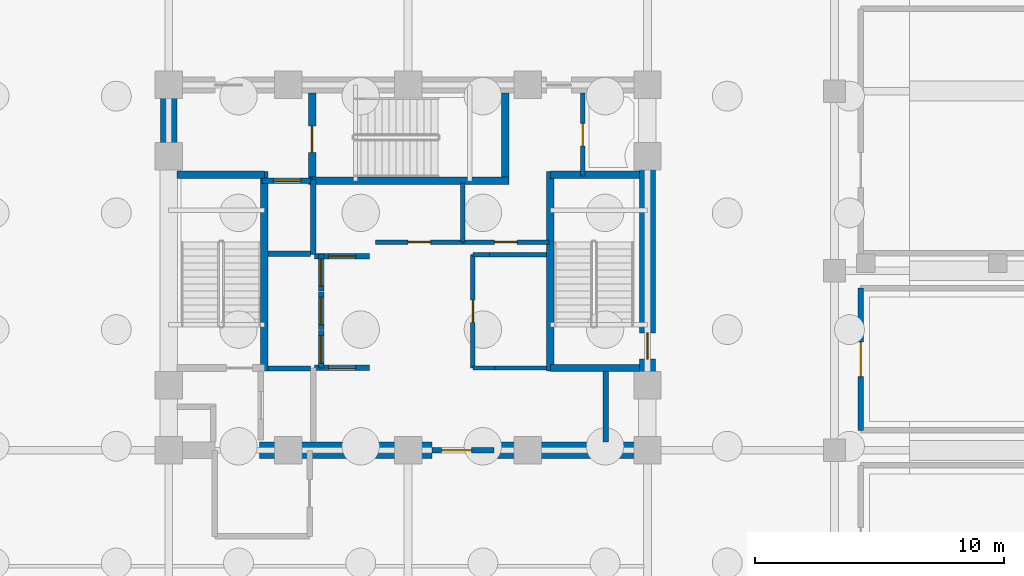
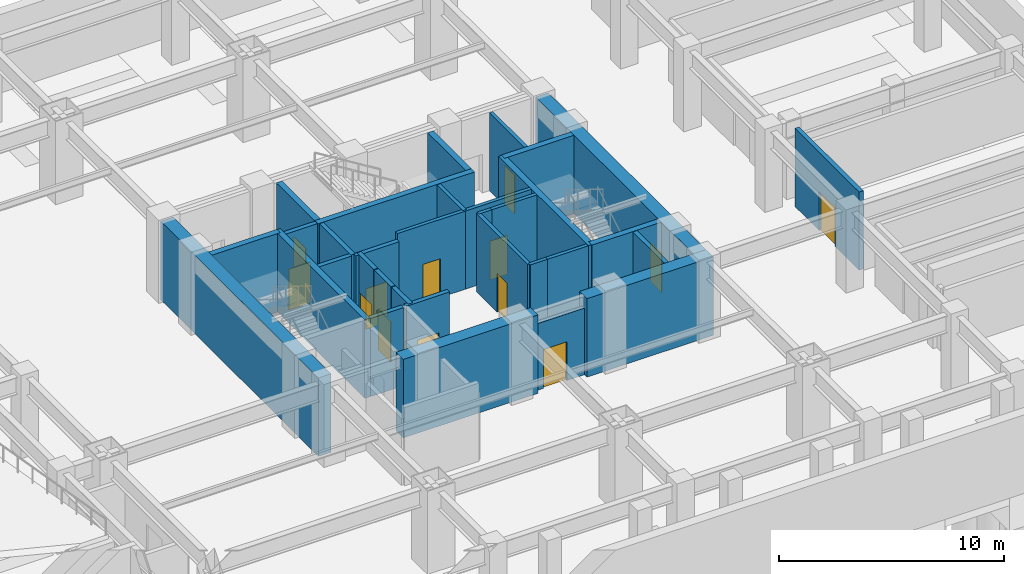
# One storey, part 5 of 12: 33 walls, 14 doors, 14 openings.
"""IFC4 building model written with IfcOpenShell, lengths in metres."""

from ifc_helpers import new_model, si_unit, direction, frame, frame_2d, origin, place, context, subcontext, project, spatial, rectangle, extrude, material, layer, layer_set, type_object, element, fill, save


model = new_model("IFC4")

# Units and contexts
model_context = context("Model", 3, precision=1e-05, world=origin(), true_north=direction((0.0, 1.0)))
body_context = subcontext(model_context, "Body", "Model", "MODEL_VIEW")
ifc_project = project(units=[si_unit("LENGTHUNIT", "METRE"), si_unit("AREAUNIT", "SQUARE_METRE"), si_unit("VOLUMEUNIT", "CUBIC_METRE"), si_unit("PLANEANGLEUNIT", "RADIAN"), si_unit("MASSUNIT", "GRAM", prefix="KILO")], contexts=[model_context])

# Site, building, storey
site_placement = place(None, origin())
site = spatial("IfcSite", under=ifc_project, at=site_placement, CompositionType="ELEMENT")
building_placement = place(site_placement, origin())
building = spatial("IfcBuilding", under=site, at=building_placement, Name="Vantalir Tower", CompositionType="ELEMENT")
storey_placement = place(building_placement, frame((0.0, 0.0, -9.0)))
storey = spatial("IfcBuildingStorey", under=building, at=storey_placement, Name="B02", CompositionType="ELEMENT", Elevation=-9.0)

# Walls
ifc_material_1 = material(Name="Concrete C60/75", Category="concrete")
ifc_layer_1 = layer(ifc_material_1, 0.64990234375)
ifc_layer_set_1 = layer_set([ifc_layer_1], Name="Concrete C60/75")
wall_type_1 = type_object("IfcWallType", Name="WL-CORE-650", PredefinedType="SHEAR", material=ifc_layer_set_1)
wall_1_placement = place(storey_placement, frame((25.550048828125, 17.800048828125, 0.0), z_axis=(0.0, 0.0, 1.0), x_axis=(1.0, 0.0, 0.0)))
element("IfcWall", 1, at=wall_1_placement, inside=storey, type_object=wall_type_1, Name="B02 Core Shear Wall South-Mid", PredefinedType="SHEAR", context=body_context, shape_type="SweptSolid", body=[
    extrude(rectangle(XDim=6.89990234375, YDim=0.64990234375, at=frame_2d((3.449951171875, 0.0))), origin(), (0.0, 0.0, 1.0), 4.25),
])
wall_2_placement = place(storey_placement, frame((34.949951171875, 17.800048828125, 0.0), z_axis=(0.0, 0.0, 1.0), x_axis=(1.0, 0.0, 0.0)))
element("IfcWall", 2, at=wall_2_placement, inside=storey, type_object=wall_type_1, Name="B02 Core Shear Wall South-East", PredefinedType="SHEAR", context=body_context, shape_type="SweptSolid", body=[
    extrude(rectangle(XDim=6.47509765625, YDim=0.64990234375, at=frame_2d((3.237548828125, 0.0))), origin(), (0.0, 0.0, 1.0), 4.25),
])
wall_3_placement = place(storey_placement, frame((21.89990234375, 18.125, 0.0), z_axis=(0.0, 0.0, 1.0), x_axis=(0.0, 1.0, 0.0)))
element("IfcWall", 3, at=wall_3_placement, inside=storey, type_object=wall_type_1, Name="B02 Core Shear Wall West", PredefinedType="SHEAR", context=body_context, shape_type="SweptSolid", body=[
    extrude(rectangle(XDim=14.0, YDim=0.64990234375, at=frame_2d((7.0, 0.0))), origin(), (0.0, 0.0, 1.0), 4.25),
])

# Wall, opening, door
wall_4_placement = place(storey_placement, frame((41.10009765625, 18.125, 0.0), z_axis=(0.0, 0.0, 1.0), x_axis=(0.0, 1.0, 0.0)))
wall_4 = element("IfcWall", 4, at=wall_4_placement, inside=storey, type_object=wall_type_1, Name="B02 Core Shear Wall East", PredefinedType="SHEAR", context=body_context, shape_type="SweptSolid", body=[
    extrude(rectangle(XDim=14.0, YDim=0.64990234375, at=frame_2d((7.0, 0.0))), origin(), (0.0, 0.0, 1.0), 4.25),
])
opening_1_placement = place(wall_4_placement, frame((3.3349609375, 0.0, 0.0)))
opening_1 = element("IfcOpeningElement", 5, at=opening_1_placement, cuts=wall_4, Name="Opening D-ST", PredefinedType="OPENING", context=body_context, shape_type="SweptSolid", body=[
    extrude(rectangle(XDim=1.050048828125, YDim=2.10009765625, at=frame_2d((0.52490234375, 1.050048828125))), frame((0.0, 0.3349609375, 0.0), z_axis=(0.0, -1.0, 0.0), x_axis=(1.0, 0.0, 0.0)), (0.0, 0.0, 1.0), 0.669921875),
])
ifc_material_2 = material(Name="Fire-rated steel door leaf", Category="steel")
door_type_1 = type_object("IfcDoorType", Name="DR-FIRE-STAIR-1050", OperationType="NOTDEFINED", PredefinedType="DOOR", material=ifc_material_2)
door_1_placement = place(opening_1_placement, origin())
door_1 = element("IfcDoor", 6, at=door_1_placement, inside=storey, type_object=door_type_1, Name="B02 Exit Stair ST2 Fire Door", OperationType="SINGLE_SWING_LEFT", OverallHeight=2.10009765625, OverallWidth=1.050048828125, PredefinedType="DOOR", context=body_context, shape_type="SweptSolid", body=[
    extrude(rectangle(XDim=1.050048828125, YDim=2.10009765625, at=frame_2d((0.52490234375, 1.050048828125))), frame((0.0, 0.02490234375, 0.0), z_axis=(0.0, -1.0, 0.0), x_axis=(1.0, 0.0, 0.0)), (0.0, 0.0, 1.0), 0.050048828125),
])
fill(opening_1, door_1)

ifc_material_3 = material(Name="Concrete blockwork with fireboard lining", Category="masonry")
ifc_layer_2 = layer(ifc_material_3, 0.219970703125)
ifc_layer_set_2 = layer_set([ifc_layer_2], Name="Concrete blockwork with fireboard lining")
wall_type_2 = type_object("IfcWallType", Name="WL-FFL-220", PredefinedType="PARTITIONING", material=ifc_layer_set_2)
wall_5_placement = place(storey_placement, frame((32.449951171875, 17.800048828125, 0.0), z_axis=(0.0, 0.0, 1.0), x_axis=(1.0, 0.0, 0.0)))
wall_5 = element("IfcWall", 7, at=wall_5_placement, inside=storey, type_object=wall_type_2, Name="B02 Passenger Lift Lobby South Wall", PredefinedType="PARTITIONING", context=body_context, shape_type="SweptSolid", body=[
    extrude(rectangle(XDim=2.5, YDim=0.219970703125, at=frame_2d((1.25, 0.0))), origin(), (0.0, 0.0, 1.0), 3.60791015625),
])
opening_2_placement = place(wall_5_placement, frame((0.39990234375, 0.0, 0.0)))
opening_2 = element("IfcOpeningElement", 8, at=opening_2_placement, cuts=wall_5, Name="Opening D-STE", PredefinedType="OPENING", context=body_context, shape_type="SweptSolid", body=[
    extrude(rectangle(XDim=1.199951171875, YDim=2.10009765625, at=frame_2d((0.60009765625, 1.050048828125))), frame((0.0, 0.119873046875, 0.0), z_axis=(0.0, -1.0, 0.0), x_axis=(1.0, 0.0, 0.0)), (0.0, 0.0, 1.0), 0.239990234375),
])
ifc_material_4 = material(Name="Solid-core teak veneer suite entrance door", Category="wood")
door_type_2 = type_object("IfcDoorType", Name="DR-SUITE-ENTRY-1200", OperationType="NOTDEFINED", PredefinedType="DOOR", material=ifc_material_4)
door_2_placement = place(opening_2_placement, origin())
door_2 = element("IfcDoor", 9, at=door_2_placement, inside=storey, type_object=door_type_2, Name="B02 Passenger Lift Lobby Concourse Door", OperationType="SINGLE_SWING_LEFT", OverallHeight=2.10009765625, OverallWidth=1.199951171875, PredefinedType="DOOR", context=body_context, shape_type="SweptSolid", body=[
    extrude(rectangle(XDim=1.199951171875, YDim=2.10009765625, at=frame_2d((0.60009765625, 1.050048828125))), frame((0.0, 0.02490234375, 0.0), z_axis=(0.0, -1.0, 0.0), x_axis=(1.0, 0.0, 0.0)), (0.0, 0.0, 1.0), 0.050048828125),
])
fill(opening_2, door_2)

# Wall
wall_6_placement = place(storey_placement, frame((39.419921875, 18.125, 0.0), z_axis=(0.0, 0.0, 1.0), x_axis=(0.0, 1.0, 0.0)))
element("IfcWall", 10, at=wall_6_placement, inside=storey, type_object=wall_type_2, Name="B02 East MEP Riser Wall W", PredefinedType="PARTITIONING", context=body_context, shape_type="SweptSolid", body=[
    extrude(rectangle(XDim=2.824951171875, YDim=0.219970703125, at=frame_2d((1.41259765625, 0.0))), origin(), (0.0, 0.0, 1.0), 4.22998046875),
])

# Wall, opening, door
wall_7_placement = place(storey_placement, frame((25.639892578125, 28.610107421875, 0.0), z_axis=(0.0, 0.0, 1.0), x_axis=(1.0, 0.0, 0.0)))
wall_7 = element("IfcWall", 11, at=wall_7_placement, inside=storey, type_object=wall_type_2, Name="B02 Lift FL2 Shaft Front Wall", PredefinedType="PARTITIONING", context=body_context, shape_type="SweptSolid", body=[
    extrude(rectangle(XDim=2.02001953125, YDim=0.219970703125, at=frame_2d((1.010009765625, 0.0))), origin(), (0.0, 0.0, 1.0), 4.22998046875),
])
opening_3_placement = place(wall_7_placement, frame((0.4599609375, 0.0, 0.0)))
opening_3 = element("IfcOpeningElement", 12, at=opening_3_placement, cuts=wall_7, Name="Opening LD-FL2", PredefinedType="OPENING", context=body_context, shape_type="SweptSolid", body=[
    extrude(rectangle(XDim=1.10009765625, YDim=2.199951171875, at=frame_2d((0.550048828125, 1.10009765625))), frame((0.0, 0.119873046875, 0.0), z_axis=(0.0, -1.0, 0.0), x_axis=(1.0, 0.0, 0.0)), (0.0, 0.0, 1.0), 0.239990234375),
])
ifc_material_5 = material(Name="Brushed stainless-steel sliding lift landing door", Category="steel")
door_type_3 = type_object("IfcDoorType", Name="DR-LIFT-LANDING-1100", OperationType="DOUBLE_DOOR_SLIDING", PredefinedType="DOOR", material=ifc_material_5)
door_3_placement = place(opening_3_placement, origin())
door_3 = element("IfcDoor", 13, at=door_3_placement, inside=storey, type_object=door_type_3, Name="B02 Lift Landing Door FL2", OperationType="DOUBLE_DOOR_SLIDING", OverallHeight=2.199951171875, OverallWidth=1.10009765625, PredefinedType="DOOR", context=body_context, shape_type="SweptSolid", body=[
    extrude(rectangle(XDim=1.10009765625, YDim=2.199951171875, at=frame_2d((0.550048828125, 1.10009765625))), frame((0.0, 0.02490234375, 0.0), z_axis=(0.0, -1.0, 0.0), x_axis=(1.0, 0.0, 0.0)), (0.0, 0.0, 1.0), 0.050048828125),
])
fill(opening_3, door_3)

wall_8_placement = place(storey_placement, frame((27.739990234375, 21.110107421875, 0.0), z_axis=(0.0, 0.0, 1.0), x_axis=(1.0, 0.0, 0.0)))
wall_8 = element("IfcWall", 14, at=wall_8_placement, inside=storey, type_object=wall_type_2, Name="B02 Lift SV1 Shaft Front Wall", PredefinedType="PARTITIONING", context=body_context, shape_type="SweptSolid", body=[
    extrude(rectangle(XDim=2.219970703125, YDim=0.219970703125, at=frame_2d((1.10986328125, 0.0))), origin(), (0.0, 0.0, 1.0), 4.22998046875),
])
opening_4_placement = place(wall_8_placement, frame((0.56005859375, 0.0, 0.0)))
opening_4 = element("IfcOpeningElement", 15, at=opening_4_placement, cuts=wall_8, Name="Opening LD-SV1", PredefinedType="OPENING", context=body_context, shape_type="SweptSolid", body=[
    extrude(rectangle(XDim=1.10009765625, YDim=2.199951171875, at=frame_2d((0.550048828125, 1.10009765625))), frame((0.0, 0.119873046875, 0.0), z_axis=(0.0, -1.0, 0.0), x_axis=(1.0, 0.0, 0.0)), (0.0, 0.0, 1.0), 0.239990234375),
])
door_4_placement = place(opening_4_placement, origin())
door_4 = element("IfcDoor", 16, at=door_4_placement, inside=storey, type_object=door_type_3, Name="B02 Lift Landing Door SV1", OperationType="DOUBLE_DOOR_SLIDING", OverallHeight=2.199951171875, OverallWidth=1.10009765625, PredefinedType="DOOR", context=body_context, shape_type="SweptSolid", body=[
    extrude(rectangle(XDim=1.10009765625, YDim=2.199951171875, at=frame_2d((0.550048828125, 1.10009765625))), frame((0.0, 0.02490234375, 0.0), z_axis=(0.0, -1.0, 0.0), x_axis=(1.0, 0.0, 0.0)), (0.0, 0.0, 1.0), 0.050048828125),
])
fill(opening_4, door_4)

wall_9_placement = place(storey_placement, frame((27.739990234375, 25.590087890625, 0.0), z_axis=(0.0, 0.0, 1.0), x_axis=(1.0, 0.0, 0.0)))
wall_9 = element("IfcWall", 17, at=wall_9_placement, inside=storey, type_object=wall_type_2, Name="B02 Lift SV2 Shaft Front Wall", PredefinedType="PARTITIONING", context=body_context, shape_type="SweptSolid", body=[
    extrude(rectangle(XDim=2.219970703125, YDim=0.219970703125, at=frame_2d((1.10986328125, 0.0))), origin(), (0.0, 0.0, 1.0), 4.22998046875),
])
opening_5_placement = place(wall_9_placement, frame((0.56005859375, 0.0, 0.0)))
opening_5 = element("IfcOpeningElement", 18, at=opening_5_placement, cuts=wall_9, Name="Opening LD-SV2", PredefinedType="OPENING", context=body_context, shape_type="SweptSolid", body=[
    extrude(rectangle(XDim=1.10009765625, YDim=2.199951171875, at=frame_2d((0.550048828125, 1.10009765625))), frame((0.0, 0.119873046875, 0.0), z_axis=(0.0, -1.0, 0.0), x_axis=(1.0, 0.0, 0.0)), (0.0, 0.0, 1.0), 0.239990234375),
])
door_5_placement = place(opening_5_placement, frame((1.10009765625, 0.0, 0.0), z_axis=(0.0, 0.0, 1.0), x_axis=(-1.0, 0.0, 0.0)))
door_5 = element("IfcDoor", 19, at=door_5_placement, inside=storey, type_object=door_type_3, Name="B02 Lift Landing Door SV2", OperationType="DOUBLE_DOOR_SLIDING", OverallHeight=2.199951171875, OverallWidth=1.10009765625, PredefinedType="DOOR", context=body_context, shape_type="SweptSolid", body=[
    extrude(rectangle(XDim=1.10009765625, YDim=2.199951171875, at=frame_2d((0.550048828125, 1.10009765625))), frame((0.0, 0.02490234375, 0.0), z_axis=(0.0, -1.0, 0.0), x_axis=(1.0, 0.0, 0.0)), (0.0, 0.0, 1.0), 0.050048828125),
])
fill(opening_5, door_5)

wall_10_placement = place(storey_placement, frame((28.010009765625, 21.10009765625, 0.0), z_axis=(0.0, 0.0, 1.0), x_axis=(0.0, 1.0, 0.0)))
wall_10 = element("IfcWall", 20, at=wall_10_placement, inside=storey, type_object=wall_type_2, Name="B02 Lift PL-L1 Shaft Front Wall", PredefinedType="PARTITIONING", context=body_context, shape_type="SweptSolid", body=[
    extrude(rectangle(XDim=1.5, YDim=0.219970703125, at=frame_2d((0.75, 0.0))), origin(), (0.0, 0.0, 1.0), 4.22998046875),
])
opening_6_placement = place(wall_10_placement, frame((0.199951171875, 0.0, 0.0)))
opening_6 = element("IfcOpeningElement", 21, at=opening_6_placement, cuts=wall_10, Name="Opening LD-PL-L1", PredefinedType="OPENING", context=body_context, shape_type="SweptSolid", body=[
    extrude(rectangle(XDim=1.10009765625, YDim=2.199951171875, at=frame_2d((0.550048828125, 1.10009765625))), frame((0.0, 0.119873046875, 0.0), z_axis=(0.0, -1.0, 0.0), x_axis=(1.0, 0.0, 0.0)), (0.0, 0.0, 1.0), 0.239990234375),
])
door_6_placement = place(opening_6_placement, frame((1.10009765625, 0.0, 0.0), z_axis=(0.0, 0.0, 1.0), x_axis=(-1.0, 0.0, 0.0)))
door_6 = element("IfcDoor", 22, at=door_6_placement, inside=storey, type_object=door_type_3, Name="B02 Lift Landing Door PL-L1", OperationType="DOUBLE_DOOR_SLIDING", OverallHeight=2.199951171875, OverallWidth=1.10009765625, PredefinedType="DOOR", context=body_context, shape_type="SweptSolid", body=[
    extrude(rectangle(XDim=1.10009765625, YDim=2.199951171875, at=frame_2d((0.550048828125, 1.10009765625))), frame((0.0, 0.02490234375, 0.0), z_axis=(0.0, -1.0, 0.0), x_axis=(1.0, 0.0, 0.0)), (0.0, 0.0, 1.0), 0.050048828125),
])
fill(opening_6, door_6)

wall_11_placement = place(storey_placement, frame((28.010009765625, 22.639892578125, 0.0), z_axis=(0.0, 0.0, 1.0), x_axis=(0.0, 1.0, 0.0)))
wall_11 = element("IfcWall", 23, at=wall_11_placement, inside=storey, type_object=wall_type_2, Name="B02 Lift PL-L2 Shaft Front Wall", PredefinedType="PARTITIONING", context=body_context, shape_type="SweptSolid", body=[
    extrude(rectangle(XDim=1.5, YDim=0.219970703125, at=frame_2d((0.75, 0.0))), origin(), (0.0, 0.0, 1.0), 4.22998046875),
])
opening_7_placement = place(wall_11_placement, frame((0.199951171875, 0.0, 0.0)))
opening_7 = element("IfcOpeningElement", 24, at=opening_7_placement, cuts=wall_11, Name="Opening LD-PL-L2", PredefinedType="OPENING", context=body_context, shape_type="SweptSolid", body=[
    extrude(rectangle(XDim=1.10009765625, YDim=2.199951171875, at=frame_2d((0.550048828125, 1.10009765625))), frame((0.0, 0.119873046875, 0.0), z_axis=(0.0, -1.0, 0.0), x_axis=(1.0, 0.0, 0.0)), (0.0, 0.0, 1.0), 0.239990234375),
])
door_7_placement = place(opening_7_placement, frame((1.10009765625, 0.0, 0.0), z_axis=(0.0, 0.0, 1.0), x_axis=(-1.0, 0.0, 0.0)))
door_7 = element("IfcDoor", 25, at=door_7_placement, inside=storey, type_object=door_type_3, Name="B02 Lift Landing Door PL-L2", OperationType="DOUBLE_DOOR_SLIDING", OverallHeight=2.199951171875, OverallWidth=1.10009765625, PredefinedType="DOOR", context=body_context, shape_type="SweptSolid", body=[
    extrude(rectangle(XDim=1.10009765625, YDim=2.199951171875, at=frame_2d((0.550048828125, 1.10009765625))), frame((0.0, 0.02490234375, 0.0), z_axis=(0.0, -1.0, 0.0), x_axis=(1.0, 0.0, 0.0)), (0.0, 0.0, 1.0), 0.050048828125),
])
fill(opening_7, door_7)

wall_12_placement = place(storey_placement, frame((28.010009765625, 24.179931640625, 0.0), z_axis=(0.0, 0.0, 1.0), x_axis=(0.0, 1.0, 0.0)))
wall_12 = element("IfcWall", 26, at=wall_12_placement, inside=storey, type_object=wall_type_2, Name="B02 Lift PL-L3 Shaft Front Wall", PredefinedType="PARTITIONING", context=body_context, shape_type="SweptSolid", body=[
    extrude(rectangle(XDim=1.5, YDim=0.219970703125, at=frame_2d((0.75, 0.0))), origin(), (0.0, 0.0, 1.0), 4.22998046875),
])
opening_8_placement = place(wall_12_placement, frame((0.199951171875, 0.0, 0.0)))
opening_8 = element("IfcOpeningElement", 27, at=opening_8_placement, cuts=wall_12, Name="Opening LD-PL-L3", PredefinedType="OPENING", context=body_context, shape_type="SweptSolid", body=[
    extrude(rectangle(XDim=1.10009765625, YDim=2.199951171875, at=frame_2d((0.550048828125, 1.10009765625))), frame((0.0, 0.119873046875, 0.0), z_axis=(0.0, -1.0, 0.0), x_axis=(1.0, 0.0, 0.0)), (0.0, 0.0, 1.0), 0.239990234375),
])
door_8_placement = place(opening_8_placement, frame((1.10009765625, 0.0, 0.0), z_axis=(0.0, 0.0, 1.0), x_axis=(-1.0, 0.0, 0.0)))
door_8 = element("IfcDoor", 28, at=door_8_placement, inside=storey, type_object=door_type_3, Name="B02 Lift Landing Door PL-L3", OperationType="DOUBLE_DOOR_SLIDING", OverallHeight=2.199951171875, OverallWidth=1.10009765625, PredefinedType="DOOR", context=body_context, shape_type="SweptSolid", body=[
    extrude(rectangle(XDim=1.10009765625, YDim=2.199951171875, at=frame_2d((0.550048828125, 1.10009765625))), frame((0.0, 0.02490234375, 0.0), z_axis=(0.0, -1.0, 0.0), x_axis=(1.0, 0.0, 0.0)), (0.0, 0.0, 1.0), 0.050048828125),
])
fill(opening_8, door_8)

# Walls
wall_13_placement = place(storey_placement, frame((27.699951171875, 25.64990234375, 0.0), z_axis=(0.0, 0.0, 1.0), x_axis=(0.0, 1.0, 0.0)))
element("IfcWall", 29, at=wall_13_placement, inside=storey, type_object=wall_type_2, Name="B02 Fire Lift FL2 Dividing Wall", PredefinedType="PARTITIONING", context=body_context, shape_type="SweptSolid", body=[
    extrude(rectangle(XDim=3.0, YDim=0.219970703125, at=frame_2d((1.5, 0.0))), origin(), (0.0, 0.0, 1.0), 4.22998046875),
])
for number, where, z_axis, x_axis, name in (
    (30, (25.8798828125, 21.080078125, 0.0), (0.0, 0.0, 1.0), (1.0, 0.0, 0.0), "B02 Low-Rise Bank South Wall"),
    (31, (25.8798828125, 25.679931640625, 0.0), (0.0, 0.0, 1.0), (1.0, 0.0, 0.0), "B02 Low-Rise Bank North Wall"),
):
    element("IfcWall", number, at=place(storey_placement, frame(where, z_axis=z_axis, x_axis=x_axis)), inside=storey, type_object=wall_type_2, Name=name, PredefinedType="PARTITIONING", context=body_context, shape_type="SweptSolid", body=[
        extrude(rectangle(XDim=1.7001953125, YDim=0.219970703125, at=frame_2d((0.85009765625, 0.0))), origin(), (0.0, 0.0, 1.0), 4.22998046875),
    ])

# Wall, opening, door
wall_14_placement = place(storey_placement, frame((49.64990234375, 18.60009765625, 0.0), z_axis=(0.0, 0.0, 1.0), x_axis=(0.0, 1.0, 0.0)))
wall_14 = element("IfcWall", 32, at=wall_14_placement, inside=storey, type_object=wall_type_2, Name="B02 Fire and Domestic Water Tank West Wall", PredefinedType="PARTITIONING", context=body_context, shape_type="SweptSolid", body=[
    extrude(rectangle(XDim=5.699951171875, YDim=0.219970703125, at=frame_2d((2.85009765625, 0.0))), origin(), (0.0, 0.0, 1.0), 4.22998046875),
])
opening_9_placement = place(wall_14_placement, frame((2.14990234375, 0.0, 0.0)))
opening_9 = element("IfcOpeningElement", 33, at=opening_9_placement, cuts=wall_14, Name="Opening D-PLANT", PredefinedType="OPENING", context=body_context, shape_type="SweptSolid", body=[
    extrude(rectangle(XDim=1.39990234375, YDim=2.10009765625, at=frame_2d((0.699951171875, 1.050048828125))), frame((0.0, 0.119873046875, 0.0), z_axis=(0.0, -1.0, 0.0), x_axis=(1.0, 0.0, 0.0)), (0.0, 0.0, 1.0), 0.239990234375),
])
ifc_material_6 = material(Name="Louvred fire-rated steel plant double door", Category="steel")
door_type_4 = type_object("IfcDoorType", Name="DR-PLANT-1400", OperationType="DOUBLE_DOOR_SINGLE_SWING", PredefinedType="DOOR", material=ifc_material_6)
door_9_placement = place(opening_9_placement, frame((1.39990234375, 0.0, 0.0), z_axis=(0.0, 0.0, 1.0), x_axis=(-1.0, 0.0, 0.0)))
door_9 = element("IfcDoor", 34, at=door_9_placement, inside=storey, type_object=door_type_4, Name="B02 Fire and Domestic Water Tank Plant Door", OperationType="DOUBLE_DOOR_SINGLE_SWING", OverallHeight=2.10009765625, OverallWidth=1.39990234375, PredefinedType="DOOR", context=body_context, shape_type="SweptSolid", body=[
    extrude(rectangle(XDim=1.39990234375, YDim=2.10009765625, at=frame_2d((0.699951171875, 1.050048828125))), frame((0.0, 0.02490234375, 0.0), z_axis=(0.0, -1.0, 0.0), x_axis=(1.0, 0.0, 0.0)), (0.0, 0.0, 1.0), 0.050048828125),
])
fill(opening_9, door_9)

# Walls
ifc_material_7 = material(Name="Twin-stud acoustic fire-rated gypsum partition", Category="gypsum")
ifc_layer_3 = layer(ifc_material_7, 0.179931640625)
ifc_layer_set_3 = layer_set([ifc_layer_3], Name="Twin-stud acoustic fire-rated gypsum partition")
wall_type_3 = type_object("IfcWallType", Name="WL-GUEST-180", PredefinedType="PARTITIONING", material=ifc_layer_set_3)
wall_15_placement = place(storey_placement, frame((34.97998046875, 21.10009765625, 0.0), z_axis=(0.0, 0.0, 1.0), x_axis=(1.0, 0.0, 0.0)))
element("IfcWall", 35, at=wall_15_placement, inside=storey, type_object=wall_type_3, Name="B02 Freed East Core South Wall", PredefinedType="PARTITIONING", context=body_context, shape_type="SweptSolid", body=[
    extrude(rectangle(XDim=2.080078125, YDim=0.179931640625, at=frame_2d((1.0400390625, 0.0))), origin(), (0.0, 0.0, 1.0), 4.22998046875),
])
wall_16_placement = place(storey_placement, frame((34.719970703125, 25.64990234375, 0.0), z_axis=(0.0, 0.0, 1.0), x_axis=(1.0, 0.0, 0.0)))
element("IfcWall", 36, at=wall_16_placement, inside=storey, type_object=wall_type_3, Name="B02 Freed East Core North Wall", PredefinedType="PARTITIONING", context=body_context, shape_type="SweptSolid", body=[
    extrude(rectangle(XDim=2.340087890625, YDim=0.179931640625, at=frame_2d((1.169921875, 0.0))), origin(), (0.0, 0.0, 1.0), 4.22998046875),
])
wall_17_placement = place(storey_placement, frame((34.10009765625, 21.10009765625, 0.0), z_axis=(0.0, 0.0, 1.0), x_axis=(1.0, 0.0, 0.0)))
element("IfcWall", 37, at=wall_17_placement, inside=storey, type_object=wall_type_3, Name="B02 East Core Room South Return", PredefinedType="PARTITIONING", context=body_context, shape_type="SweptSolid", body=[
    extrude(rectangle(XDim=0.8798828125, YDim=0.179931640625, at=frame_2d((0.43994140625, 0.0))), origin(), (0.0, 0.0, 1.0), 4.22998046875),
])
wall_18_placement = place(storey_placement, frame((34.10009765625, 25.64990234375, 0.0), z_axis=(0.0, 0.0, 1.0), x_axis=(1.0, 0.0, 0.0)))
element("IfcWall", 38, at=wall_18_placement, inside=storey, type_object=wall_type_3, Name="B02 East Core Room North Return", PredefinedType="PARTITIONING", context=body_context, shape_type="SweptSolid", body=[
    extrude(rectangle(XDim=0.659912109375, YDim=0.179931640625, at=frame_2d((0.330078125, 0.0))), origin(), (0.0, 0.0, 1.0), 4.22998046875),
])

# Wall, opening, door
wall_19_placement = place(storey_placement, frame((34.10009765625, 21.10009765625, 0.0), z_axis=(0.0, 0.0, 1.0), x_axis=(0.0, 1.0, 0.0)))
wall_19 = element("IfcWall", 39, at=wall_19_placement, inside=storey, type_object=wall_type_3, Name="B02 East Core Room West Wall", PredefinedType="PARTITIONING", context=body_context, shape_type="SweptSolid", body=[
    extrude(rectangle(XDim=4.5498046875, YDim=0.179931640625, at=frame_2d((2.27490234375, 0.0))), origin(), (0.0, 0.0, 1.0), 4.22998046875),
])
opening_10_placement = place(wall_19_placement, frame((1.824951171875, 0.0, 0.0)))
opening_10 = element("IfcOpeningElement", 40, at=opening_10_placement, cuts=wall_19, Name="Opening D-CR", PredefinedType="OPENING", context=body_context, shape_type="SweptSolid", body=[
    extrude(rectangle(XDim=0.89990234375, YDim=2.10009765625, at=frame_2d((0.449951171875, 1.050048828125))), frame((0.0, 0.099853515625, 0.0), z_axis=(0.0, -1.0, 0.0), x_axis=(1.0, 0.0, 0.0)), (0.0, 0.0, 1.0), 0.199951171875),
])
ifc_material_8 = material(Name="Fire-rated steel core service door", Category="steel")
door_type_5 = type_object("IfcDoorType", Name="DR-CORE-SERV-900", OperationType="NOTDEFINED", PredefinedType="DOOR", material=ifc_material_8)
door_10_placement = place(opening_10_placement, frame((0.89990234375, 0.0, 0.0), z_axis=(0.0, 0.0, 1.0), x_axis=(-1.0, 0.0, 0.0)))
door_10 = element("IfcDoor", 41, at=door_10_placement, inside=storey, type_object=door_type_5, Name="B02 Core Linen Store Door", OperationType="SINGLE_SWING_LEFT", OverallHeight=2.10009765625, OverallWidth=0.89990234375, PredefinedType="DOOR", context=body_context, shape_type="SweptSolid", body=[
    extrude(rectangle(XDim=0.89990234375, YDim=2.10009765625, at=frame_2d((0.449951171875, 1.050048828125))), frame((0.0, 0.02490234375, 0.0), z_axis=(0.0, -1.0, 0.0), x_axis=(1.0, 0.0, 0.0)), (0.0, 0.0, 1.0), 0.050048828125),
])
fill(opening_10, door_10)

# Wall
wall_20_placement = place(storey_placement, frame((33.699951171875, 26.14990234375, 0.0), z_axis=(0.0, 0.0, 1.0), x_axis=(0.0, 1.0, 0.0)))
element("IfcWall", 42, at=wall_20_placement, inside=storey, type_object=wall_type_3, Name="B02 Freed North-Mid Core Divider", PredefinedType="PARTITIONING", context=body_context, shape_type="SweptSolid", body=[
    extrude(rectangle(XDim=2.3701171875, YDim=0.179931640625, at=frame_2d((1.18505859375, 0.0))), origin(), (0.0, 0.0, 1.0), 4.22998046875),
])

# Wall, opening, door
wall_21_placement = place(storey_placement, frame((30.199951171875, 26.14990234375, 0.0), z_axis=(0.0, 0.0, 1.0), x_axis=(1.0, 0.0, 0.0)))
wall_21 = element("IfcWall", 43, at=wall_21_placement, inside=storey, type_object=wall_type_3, Name="B02 Freed North-Mid Core Wall W", PredefinedType="PARTITIONING", context=body_context, shape_type="SweptSolid", body=[
    extrude(rectangle(XDim=3.5, YDim=0.179931640625, at=frame_2d((1.75, 0.0))), origin(), (0.0, 0.0, 1.0), 4.22998046875),
])
opening_11_placement = place(wall_21_placement, frame((1.300048828125, 0.0, 0.0)))
opening_11 = element("IfcOpeningElement", 44, at=opening_11_placement, cuts=wall_21, Name="Opening D-CR", PredefinedType="OPENING", context=body_context, shape_type="SweptSolid", body=[
    extrude(rectangle(XDim=0.89990234375, YDim=2.10009765625, at=frame_2d((0.449951171875, 1.050048828125))), frame((0.0, 0.099853515625, 0.0), z_axis=(0.0, -1.0, 0.0), x_axis=(1.0, 0.0, 0.0)), (0.0, 0.0, 1.0), 0.199951171875),
])
door_11_placement = place(opening_11_placement, origin())
door_11 = element("IfcDoor", 45, at=door_11_placement, inside=storey, type_object=door_type_5, Name="B02 Core Cloakroom Store Door", OperationType="SINGLE_SWING_LEFT", OverallHeight=2.10009765625, OverallWidth=0.89990234375, PredefinedType="DOOR", context=body_context, shape_type="SweptSolid", body=[
    extrude(rectangle(XDim=0.89990234375, YDim=2.10009765625, at=frame_2d((0.449951171875, 1.050048828125))), frame((0.0, 0.02490234375, 0.0), z_axis=(0.0, -1.0, 0.0), x_axis=(1.0, 0.0, 0.0)), (0.0, 0.0, 1.0), 0.050048828125),
])
fill(opening_11, door_11)

wall_22_placement = place(storey_placement, frame((33.699951171875, 26.14990234375, 0.0), z_axis=(0.0, 0.0, 1.0), x_axis=(1.0, 0.0, 0.0)))
wall_22 = element("IfcWall", 46, at=wall_22_placement, inside=storey, type_object=wall_type_3, Name="B02 Freed North-Mid Core Wall E", PredefinedType="PARTITIONING", context=body_context, shape_type="SweptSolid", body=[
    extrude(rectangle(XDim=3.449951171875, YDim=0.179931640625, at=frame_2d((1.72509765625, 0.0))), origin(), (0.0, 0.0, 1.0), 4.22998046875),
])
opening_12_placement = place(wall_22_placement, frame((1.27490234375, 0.0, 0.0)))
opening_12 = element("IfcOpeningElement", 47, at=opening_12_placement, cuts=wall_22, Name="Opening D-CR", PredefinedType="OPENING", context=body_context, shape_type="SweptSolid", body=[
    extrude(rectangle(XDim=0.89990234375, YDim=2.10009765625, at=frame_2d((0.449951171875, 1.050048828125))), frame((0.0, 0.099853515625, 0.0), z_axis=(0.0, -1.0, 0.0), x_axis=(1.0, 0.0, 0.0)), (0.0, 0.0, 1.0), 0.199951171875),
])
door_12_placement = place(opening_12_placement, origin())
door_12 = element("IfcDoor", 48, at=door_12_placement, inside=storey, type_object=door_type_5, Name="B02 Core AV Room Door", OperationType="SINGLE_SWING_RIGHT", OverallHeight=2.10009765625, OverallWidth=0.89990234375, PredefinedType="DOOR", context=body_context, shape_type="SweptSolid", body=[
    extrude(rectangle(XDim=0.89990234375, YDim=2.10009765625, at=frame_2d((0.449951171875, 1.050048828125))), frame((0.0, 0.02490234375, 0.0), z_axis=(0.0, -1.0, 0.0), x_axis=(1.0, 0.0, 0.0)), (0.0, 0.0, 1.0), 0.050048828125),
])
fill(opening_12, door_12)

wall_23_placement = place(storey_placement, frame((38.5, 28.800048828125, 0.0), z_axis=(0.0, 0.0, 1.0), x_axis=(0.0, 1.0, 0.0)))
wall_23 = element("IfcWall", 49, at=wall_23_placement, inside=storey, type_object=wall_type_3, Name="B02 Core Switchroom Partition", PredefinedType="PARTITIONING", context=body_context, shape_type="SweptSolid", body=[
    extrude(rectangle(XDim=3.324951171875, YDim=0.179931640625, at=frame_2d((1.66259765625, 0.0))), origin(), (0.0, 0.0, 1.0), 4.22998046875),
])
opening_13_placement = place(wall_23_placement, frame((1.2119140625, 0.0, 0.0)))
opening_13 = element("IfcOpeningElement", 50, at=opening_13_placement, cuts=wall_23, Name="Opening D-CR", PredefinedType="OPENING", context=body_context, shape_type="SweptSolid", body=[
    extrude(rectangle(XDim=0.89990234375, YDim=2.10009765625, at=frame_2d((0.449951171875, 1.050048828125))), frame((0.0, 0.099853515625, 0.0), z_axis=(0.0, -1.0, 0.0), x_axis=(1.0, 0.0, 0.0)), (0.0, 0.0, 1.0), 0.199951171875),
])
door_13_placement = place(opening_13_placement, frame((0.89990234375, 0.0, 0.0), z_axis=(0.0, 0.0, 1.0), x_axis=(-1.0, 0.0, 0.0)))
door_13 = element("IfcDoor", 51, at=door_13_placement, inside=storey, type_object=door_type_5, Name="B02 Core Electrical Switchroom Door", OperationType="SINGLE_SWING_RIGHT", OverallHeight=2.10009765625, OverallWidth=0.89990234375, PredefinedType="DOOR", context=body_context, shape_type="SweptSolid", body=[
    extrude(rectangle(XDim=0.89990234375, YDim=2.10009765625, at=frame_2d((0.449951171875, 1.050048828125))), frame((0.0, 0.02490234375, 0.0), z_axis=(0.0, -1.0, 0.0), x_axis=(1.0, 0.0, 0.0)), (0.0, 0.0, 1.0), 0.050048828125),
])
fill(opening_13, door_13)

# Walls
ifc_material_9 = material(Name="Concrete C50/60", Category="concrete")
ifc_layer_4 = layer(ifc_material_9, 0.300048828125)
ifc_layer_set_4 = layer_set([ifc_layer_4], Name="Concrete C50/60")
wall_type_4 = type_object("IfcWallType", Name="WL-STAIR-300", PredefinedType="SHEAR", material=ifc_layer_set_4)
wall_24_placement = place(storey_placement, frame((22.22509765625, 28.85009765625, 0.0), z_axis=(0.0, 0.0, 1.0), x_axis=(1.0, 0.0, 0.0)))
element("IfcWall", 52, at=wall_24_placement, inside=storey, type_object=wall_type_4, Name="B02 Stair ST1 North Wall", PredefinedType="SHEAR", context=body_context, shape_type="SweptSolid", body=[
    extrude(rectangle(XDim=3.514892578125, YDim=0.300048828125, at=frame_2d((1.75732421875, 0.0))), origin(), (0.0, 0.0, 1.0), 4.25),
])
wall_25_placement = place(storey_placement, frame((25.739990234375, 20.97998046875, 0.0), z_axis=(0.0, 0.0, 1.0), x_axis=(0.0, 1.0, 0.0)))
element("IfcWall", 53, at=wall_25_placement, inside=storey, type_object=wall_type_4, Name="B02 Stair ST1 East Wall", PredefinedType="SHEAR", context=body_context, shape_type="SweptSolid", body=[
    extrude(rectangle(XDim=7.989990234375, YDim=0.300048828125, at=frame_2d((3.9951171875, 0.0))), origin(), (0.0, 0.0, 1.0), 4.25),
])
for number, where, z_axis, x_axis, name in (
    (54, (37.2099609375, 21.10009765625, 0.0), (0.0, 0.0, 1.0), (1.0, 0.0, 0.0), "B02 Stair ST2 South Wall"),
    (55, (37.2099609375, 28.85009765625, 0.0), (0.0, 0.0, 1.0), (1.0, 0.0, 0.0), "B02 Stair ST2 North Wall"),
):
    element("IfcWall", number, at=place(storey_placement, frame(where, z_axis=z_axis, x_axis=x_axis)), inside=storey, type_object=wall_type_4, Name=name, PredefinedType="SHEAR", context=body_context, shape_type="SweptSolid", body=[
        extrude(rectangle(XDim=3.56494140625, YDim=0.300048828125, at=frame_2d((1.782470703125, 0.0))), origin(), (0.0, 0.0, 1.0), 4.25),
    ])
wall_26_placement = place(storey_placement, frame((37.2099609375, 20.97998046875, 0.0), z_axis=(0.0, 0.0, 1.0), x_axis=(0.0, 1.0, 0.0)))
element("IfcWall", 56, at=wall_26_placement, inside=storey, type_object=wall_type_4, Name="B02 Stair ST2 West Wall", PredefinedType="SHEAR", context=body_context, shape_type="SweptSolid", body=[
    extrude(rectangle(XDim=7.989990234375, YDim=0.300048828125, at=frame_2d((3.9951171875, 0.0))), origin(), (0.0, 0.0, 1.0), 4.25),
])
wall_27_placement = place(storey_placement, frame((27.510009765625, 28.60009765625, 0.0), z_axis=(0.0, 0.0, 1.0), x_axis=(1.0, 0.0, 0.0)))
element("IfcWall", 57, at=wall_27_placement, inside=storey, type_object=wall_type_4, Name="B02 Stair ST3 South Wall", PredefinedType="SHEAR", context=body_context, shape_type="SweptSolid", body=[
    extrude(rectangle(XDim=8.030029296875, YDim=0.300048828125, at=frame_2d((4.01513671875, 0.0))), origin(), (0.0, 0.0, 1.0), 4.25),
])

# Wall, opening, door
wall_28_placement = place(storey_placement, frame((27.64990234375, 28.75, 0.0), z_axis=(0.0, 0.0, 1.0), x_axis=(0.0, 1.0, 0.0)))
wall_28 = element("IfcWall", 58, at=wall_28_placement, inside=storey, type_object=wall_type_4, Name="B02 Stair ST3 West Wall", PredefinedType="SHEAR", context=body_context, shape_type="SweptSolid", body=[
    extrude(rectangle(XDim=3.375, YDim=0.300048828125, at=frame_2d((1.6875, 0.0))), origin(), (0.0, 0.0, 1.0), 4.25),
])
opening_14_placement = place(wall_28_placement, frame((1.0, 0.0, 0.0)))
opening_14 = element("IfcOpeningElement", 59, at=opening_14_placement, cuts=wall_28, Name="Opening D-ST", PredefinedType="OPENING", context=body_context, shape_type="SweptSolid", body=[
    extrude(rectangle(XDim=1.050048828125, YDim=2.10009765625, at=frame_2d((0.52490234375, 1.050048828125))), frame((0.0, 0.159912109375, 0.0), z_axis=(0.0, -1.0, 0.0), x_axis=(1.0, 0.0, 0.0)), (0.0, 0.0, 1.0), 0.320068359375),
])
door_14_placement = place(opening_14_placement, frame((1.050048828125, 0.0, 0.0), z_axis=(0.0, 0.0, 1.0), x_axis=(-1.0, 0.0, 0.0)))
door_14 = element("IfcDoor", 60, at=door_14_placement, inside=storey, type_object=door_type_1, Name="B02 Exit Stair ST3 Fire Door", OperationType="SINGLE_SWING_LEFT", OverallHeight=2.10009765625, OverallWidth=1.050048828125, PredefinedType="DOOR", context=body_context, shape_type="SweptSolid", body=[
    extrude(rectangle(XDim=1.050048828125, YDim=2.10009765625, at=frame_2d((0.52490234375, 1.050048828125))), frame((0.0, 0.02490234375, 0.0), z_axis=(0.0, -1.0, 0.0), x_axis=(1.0, 0.0, 0.0)), (0.0, 0.0, 1.0), 0.050048828125),
])
fill(opening_14, door_14)

# Wall
wall_29_placement = place(storey_placement, frame((35.39990234375, 28.75, 0.0), z_axis=(0.0, 0.0, 1.0), x_axis=(0.0, 1.0, 0.0)))
element("IfcWall", 61, at=wall_29_placement, inside=storey, type_object=wall_type_4, Name="B02 Stair ST3 East Wall", PredefinedType="SHEAR", context=body_context, shape_type="SweptSolid", body=[
    extrude(rectangle(XDim=3.375, YDim=0.300048828125, at=frame_2d((1.6875, 0.0))), origin(), (0.0, 0.0, 1.0), 4.25),
])

save(model, "model.ifc")
